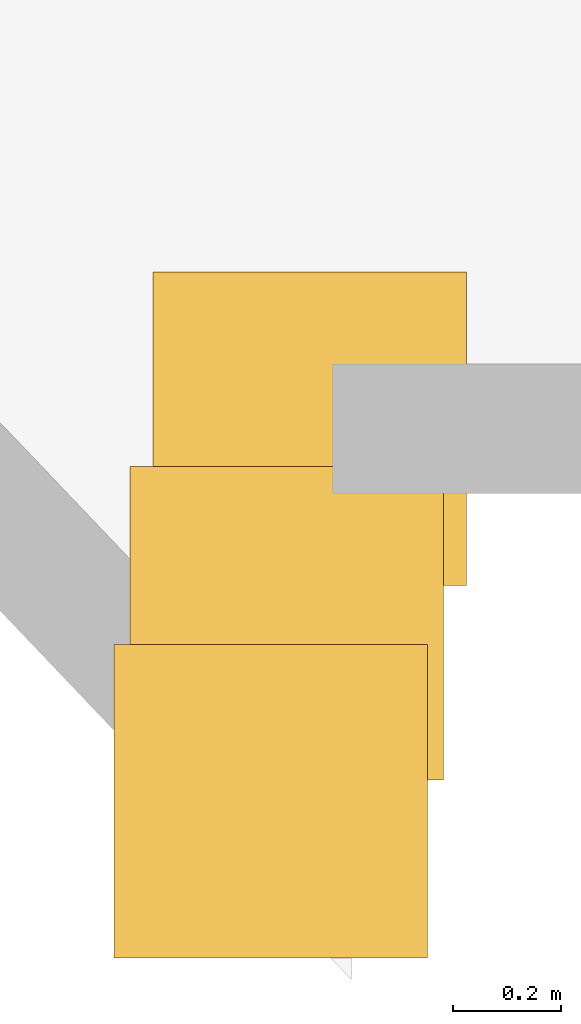
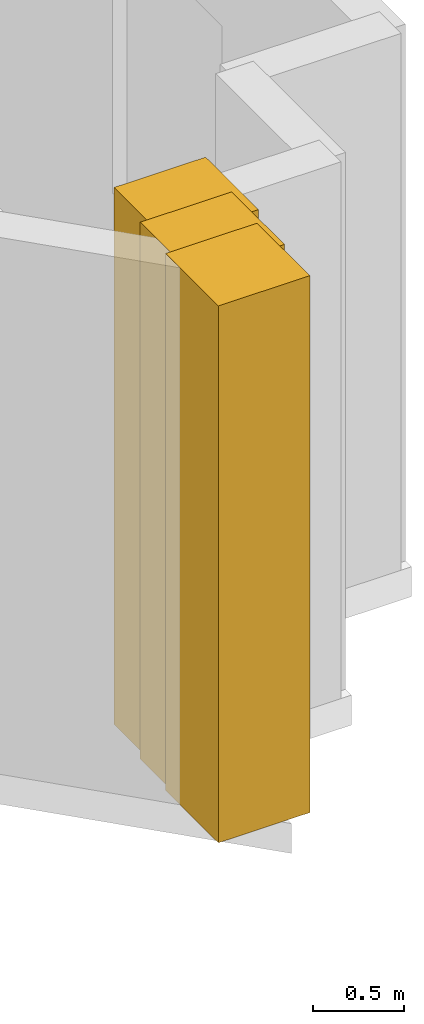
# One storey, part 17 of 17: 3 coverings.
"""IFC4 building model written with IfcOpenShell, lengths in metres."""

import ifcopenshell
import ifcopenshell.guid

model = None  # the IFC model being written
_history = None  # IfcOwnerHistory: only IFC2X3 demands one
_inside = {}  # id of a spatial element -> (the spatial element, [elements in it])
_under = {}  # id of a project, library or spatial element -> (it, [spatial elements below it])
_declared = {}  # id of a project -> (the project, [libraries it declares])
_typed = {}  # id of a type object -> (the type object, [elements of that type])
_made_of = {}  # id of a material, layer set ... -> (it, [elements and type objects made of it])


def new_model(schema):
    """Start an empty IFC model of exactly this schema.

    Asked for "IFC4X3", IfcOpenShell would pick the latest addendum, in which some entities
    have other attributes; the version numbers below select the first issue.
    IFC2X3 requires an IfcOwnerHistory on every rooted entity: one is made here for all.
    """
    global model, _history
    if schema == "IFC4X3":
        model = ifcopenshell.file(schema_version=(4, 3, 0, 0))
    else:
        model = ifcopenshell.file(schema=schema)
    _inside.clear()
    _under.clear()
    _declared.clear()
    _typed.clear()
    _made_of.clear()
    _history = None
    if model.schema == "IFC2X3":
        org = make("IfcOrganization", Name="unknown")
        user = make(
            "IfcPersonAndOrganization",
            ThePerson=make("IfcPerson", FamilyName="unknown"),
            TheOrganization=org,
        )
        app = make(
            "IfcApplication",
            ApplicationDeveloper=org,
            Version="unknown",
            ApplicationFullName="unknown",
            ApplicationIdentifier="unknown",
        )
        _history = make(
            "IfcOwnerHistory",
            OwningUser=user,
            OwningApplication=app,
            ChangeAction="ADDED",
            CreationDate=0,
        )
    return model


def make(cls, **values):
    """One entity of the class cls with the attributes given. An attribute that is None is left unset."""
    return model.create_entity(
        cls, **{name: value for name, value in values.items() if value is not None}
    )


def rooted(cls, **values):
    """An entity with a GlobalId (a new one), such as an element, a storey or a relation."""
    return make(cls, GlobalId=ifcopenshell.guid.new(), OwnerHistory=_history, **values)


def si_unit(unit_type, name, prefix=None):
    """IfcSIUnit, for example si_unit("LENGTHUNIT", "METRE", prefix="MILLI")."""
    return make("IfcSIUnit", UnitType=unit_type, Prefix=prefix, Name=name)


def assignment(units):
    """IfcUnitAssignment: the units of a project."""
    return None if units is None else make("IfcUnitAssignment", Units=units)


def point(xyz):
    """IfcCartesianPoint."""
    return None if xyz is None else make("IfcCartesianPoint", Coordinates=xyz)


def direction(xyz):
    """IfcDirection."""
    return None if xyz is None else make("IfcDirection", DirectionRatios=xyz)


def frame(location, z_axis=None, x_axis=None):
    """IfcAxis2Placement3D, a coordinate frame: its origin and axes. An axis left out is left unset."""
    return make(
        "IfcAxis2Placement3D",
        Location=point(location),
        Axis=direction(z_axis),
        RefDirection=direction(x_axis),
    )


def frame_2d(location, x_axis=None):
    """IfcAxis2Placement2D, a coordinate frame in the plane: its origin and x axis."""
    return make(
        "IfcAxis2Placement2D", Location=point(location), RefDirection=direction(x_axis)
    )


def origin():
    """The frame at (0, 0, 0) with its axes left unset."""
    return frame((0.0, 0.0, 0.0))


def origin_2d():
    """The frame at (0, 0) in the plane with its x axis left unset."""
    return frame_2d((0.0, 0.0))


def place(relative_to, where):
    """IfcLocalPlacement: puts the frame where relative to a parent placement (None: the world)."""
    return make(
        "IfcLocalPlacement", PlacementRelTo=relative_to, RelativePlacement=where
    )


def context(
    kind, dimensions, precision=None, world=None, true_north=None, identifier=None
):
    """IfcGeometricRepresentationContext, for example the 3D "Model" context."""
    return make(
        "IfcGeometricRepresentationContext",
        ContextIdentifier=identifier,
        ContextType=kind,
        CoordinateSpaceDimension=dimensions,
        Precision=precision,
        WorldCoordinateSystem=world,
        TrueNorth=true_north,
    )


def subcontext(parent, identifier, kind, view, scale=None):
    """IfcGeometricRepresentationSubContext, for example "Body" below "Model"."""
    return make(
        "IfcGeometricRepresentationSubContext",
        ContextIdentifier=identifier,
        ContextType=kind,
        ParentContext=parent,
        TargetScale=scale,
        TargetView=view,
    )


def project(units=None, contexts=None):
    """IfcProject with its units and contexts."""
    return rooted(
        "IfcProject",
        Name="project",
        RepresentationContexts=contexts,
        UnitsInContext=assignment(units),
    )


def spatial(cls, under=None, at=None, **own):
    """A site, building, storey or space (cls), placed at a placement, below another one or the project."""
    s = rooted(cls, ObjectPlacement=at, **own)
    if under is not None:
        _under.setdefault(under.id(), (under, []))[1].append(s)
    return s


def profile(cls, at=None, kind="AREA", **sizes):
    """A parametric profile (cls). Its sizes go by their IFC names, for example OverallWidth=200.0."""
    return make(cls, ProfileType=kind, Position=at, **sizes)


def rectangle(**sizes):
    """IfcRectangleProfileDef."""
    return profile("IfcRectangleProfileDef", **sizes)


def extrude(swept, where, along, depth):
    """IfcExtrudedAreaSolid: the profile swept, set in the frame where, extruded along a direction by depth."""
    return make(
        "IfcExtrudedAreaSolid",
        SweptArea=swept,
        Position=where,
        ExtrudedDirection=direction(along),
        Depth=depth,
    )


def shape(context_of_items, identifier, shape_type, items):
    """IfcShapeRepresentation: the items that make up one representation, for example the "Body"."""
    return make(
        "IfcShapeRepresentation",
        ContextOfItems=context_of_items,
        RepresentationIdentifier=identifier,
        RepresentationType=shape_type,
        Items=items,
    )


def material(Name=None, Category=None):
    """IfcMaterial."""
    return make("IfcMaterial", Name=Name, Category=Category)


def layer(
    of_material, thickness, ventilated=None, Name=None, Category=None, Priority=None
):
    """IfcMaterialLayer: one layer of a wall or slab, of a material (None: an air gap)."""
    return make(
        "IfcMaterialLayer",
        Material=of_material,
        LayerThickness=thickness,
        IsVentilated=ventilated,
        Name=Name,
        Category=Category,
        Priority=Priority,
    )


def layer_set(layers, Name=None):
    """IfcMaterialLayerSet."""
    return make("IfcMaterialLayerSet", MaterialLayers=layers, LayerSetName=Name)


def made_of(thing, what):
    """Note that an element or type object is made of a material, layer set ...; save() writes the relation."""
    if what is not None:
        _made_of.setdefault(what.id(), (what, []))[1].append(thing)
    return thing


def type_object(cls, material=None, **own):
    """A type object (cls), such as IfcWallType, which elements share."""
    return made_of(rooted(cls, **own), material)


def element(
    cls,
    number,
    at=None,
    inside=None,
    cuts=None,
    type_object=None,
    material=None,
    context=None,
    identifier="Body",
    shape_type=None,
    held_by="IfcProductDefinitionShape",
    body=None,
    shapes=None,
    **own,
):
    """One element of the class cls, such as IfcWall. Its Tag is "e" and its number.

    at: its placement. inside: the storey or other place that contains it. cuts: it is an
    opening in that element (IfcRelVoidsElement). A single representation is given by context,
    identifier, shape_type and body (its items); several are given by shapes. held_by: the class
    of the entity that holds the representations. save() writes the other relations.
    """
    e = rooted(cls, Tag="e%d" % number, ObjectPlacement=at, **own)
    if body is not None:
        shapes = [shape(context, identifier, shape_type, body)]
    if shapes is not None:
        e.Representation = make(held_by, Representations=shapes)
    if inside is not None:
        _inside.setdefault(inside.id(), (inside, []))[1].append(e)
    if cuts is not None:
        rooted(
            "IfcRelVoidsElement", RelatingBuildingElement=cuts, RelatedOpeningElement=e
        )
    if type_object is not None:
        _typed.setdefault(type_object.id(), (type_object, []))[1].append(e)
    return made_of(e, material)


def aggregate(whole, parts):
    """IfcRelAggregates: a whole, such as a stair, and the parts it consists of."""
    return rooted("IfcRelAggregates", RelatingObject=whole, RelatedObjects=parts)


def save(model, path):
    """Write the relations noted so far, then the file.

    IfcRelAggregates (storeys below a building ...), IfcRelContainedInSpatialStructure (elements
    in a storey), IfcRelDefinesByType, IfcRelAssociatesMaterial and IfcRelDeclares: one each for
    every whole, place, type object, material and project.
    """
    for whole, parts in _under.values():
        aggregate(whole, parts)
    for where, things in _inside.values():
        rooted(
            "IfcRelContainedInSpatialStructure",
            RelatedElements=things,
            RelatingStructure=where,
        )
    for kind, things in _typed.values():
        rooted("IfcRelDefinesByType", RelatedObjects=things, RelatingType=kind)
    for what, things in _made_of.values():
        rooted("IfcRelAssociatesMaterial", RelatedObjects=things, RelatingMaterial=what)
    for by, libraries in _declared.values():
        rooted("IfcRelDeclares", RelatingContext=by, RelatedDefinitions=libraries)
    model.write(path)


model = new_model("IFC4")

# Units and contexts
model_context = context("Model", 3, precision=1e-05, world=origin(), true_north=direction((0.0, 1.0)))
body_context = subcontext(model_context, "Body", "Model", "MODEL_VIEW")
ifc_project = project(units=[si_unit("LENGTHUNIT", "METRE"), si_unit("AREAUNIT", "SQUARE_METRE"), si_unit("VOLUMEUNIT", "CUBIC_METRE"), si_unit("PLANEANGLEUNIT", "RADIAN"), si_unit("MASSUNIT", "GRAM", prefix="KILO")], contexts=[model_context])

# Site, building, storey
site_placement = place(None, origin())
site = spatial("IfcSite", under=ifc_project, at=site_placement, CompositionType="ELEMENT")
building_placement = place(site_placement, origin())
building = spatial("IfcBuilding", under=site, at=building_placement, Name="Haolan Belvedere Tower", CompositionType="ELEMENT")
storey_placement = place(building_placement, frame((0.0, 0.0, 31.60009765625)))
storey = spatial("IfcBuildingStorey", under=building, at=storey_placement, Name="L07", CompositionType="ELEMENT", Elevation=31.60009765625)

# Coverings
ifc_material = material(Name="Pale champagne-silver anodised aluminium rainscreen cladding", Category="aluminium")
ifc_layer = layer(ifc_material, 0.034912109375, Name="Pale champagne-silver anodised aluminium rainscreen cladding")
ifc_layer_set = layer_set([ifc_layer], Name="Pale champagne-silver anodised aluminium rainscreen cladding")
covering_type = type_object("IfcCoveringType", Name="COV-CLAD-35", PredefinedType="CLADDING", material=ifc_layer_set)
for number, where, z_axis, x_axis, name in (
    (1, (71.890625, 7.123046875, -0.000244140625), (0.0, 0.0, 1.0), (1.0, 0.0, 0.0), "L07 pale-metal serrated corner cladding trim 6"),
    (2, (71.919921875, 7.4521484375, -0.000244140625), (0.0, 0.0, 1.0), (1.0, 0.0, 0.0), "L07 pale-metal serrated corner cladding trim 7"),
    (3, (71.96240234375, 7.81201171875, -0.000244140625), (0.0, 0.0, 1.0), (1.0, 0.0, 0.0), "L07 pale-metal serrated corner cladding trim 8"),
):
    element("IfcCovering", number, at=place(storey_placement, frame(where, z_axis=z_axis, x_axis=x_axis)), inside=storey, type_object=covering_type, Name=name, PredefinedType="CLADDING", context=body_context, shape_type="SweptSolid", body=[
        extrude(rectangle(XDim=0.580078125, YDim=0.580078125, at=origin_2d()), origin(), (0.0, 0.0, 1.0), 3.60009765625),
    ])

save(model, "model.ifc")
